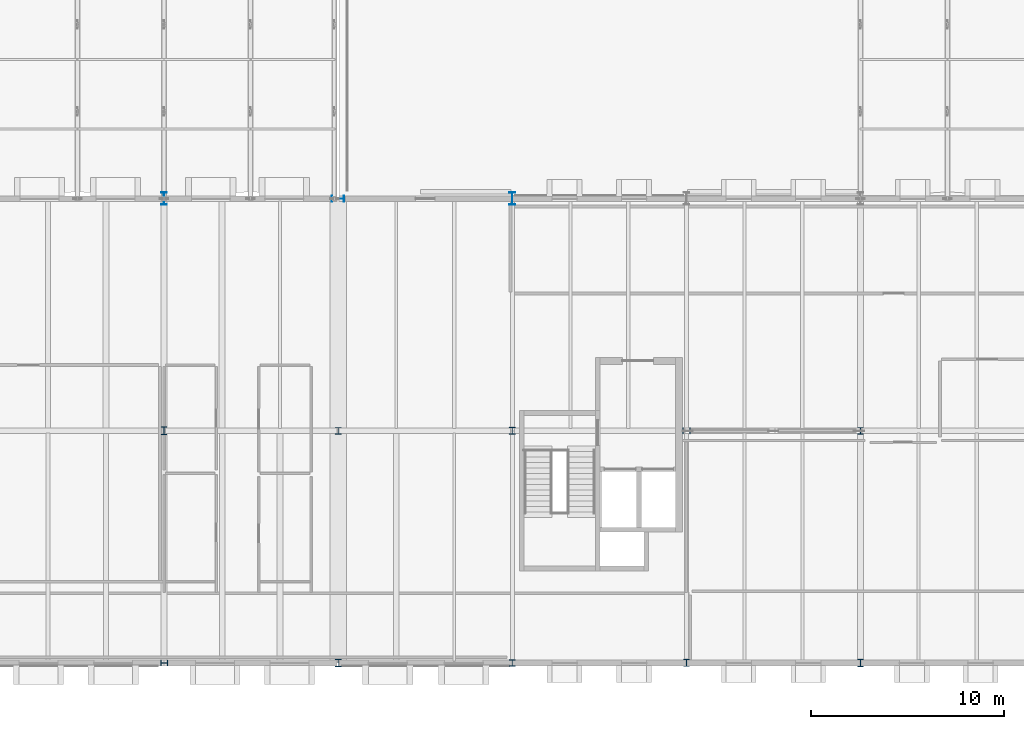
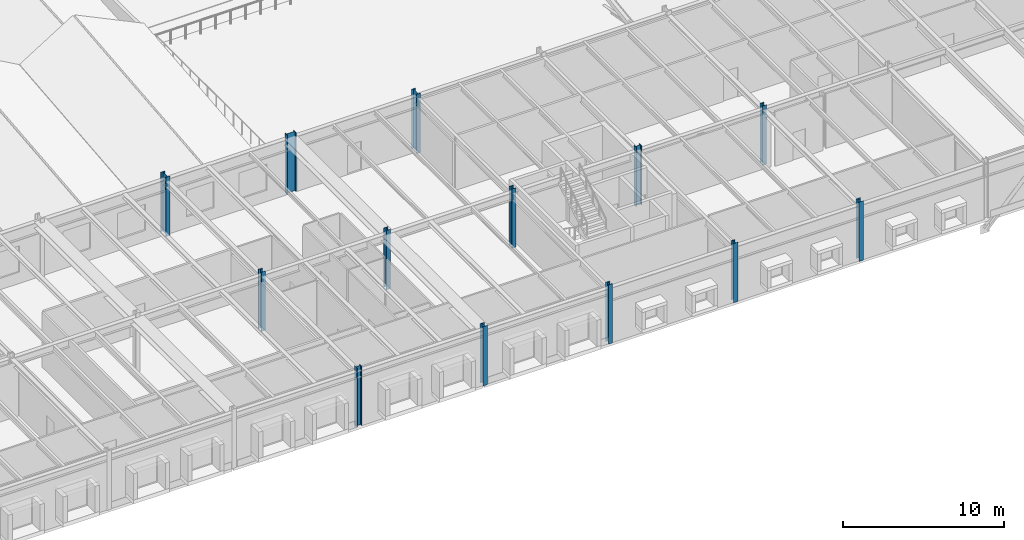
# One storey, part 4 of 142: 13 columns.
"""IFC4 building model written with IfcOpenShell, lengths in metres."""

import ifcopenshell
import ifcopenshell.guid

model = None  # the IFC model being written
_history = None  # IfcOwnerHistory: only IFC2X3 demands one
_inside = {}  # id of a spatial element -> (the spatial element, [elements in it])
_under = {}  # id of a project, library or spatial element -> (it, [spatial elements below it])
_declared = {}  # id of a project -> (the project, [libraries it declares])
_typed = {}  # id of a type object -> (the type object, [elements of that type])
_made_of = {}  # id of a material, layer set ... -> (it, [elements and type objects made of it])


def new_model(schema):
    """Start an empty IFC model of exactly this schema.

    Asked for "IFC4X3", IfcOpenShell would pick the latest addendum, in which some entities
    have other attributes; the version numbers below select the first issue.
    IFC2X3 requires an IfcOwnerHistory on every rooted entity: one is made here for all.
    """
    global model, _history
    if schema == "IFC4X3":
        model = ifcopenshell.file(schema_version=(4, 3, 0, 0))
    else:
        model = ifcopenshell.file(schema=schema)
    _inside.clear()
    _under.clear()
    _declared.clear()
    _typed.clear()
    _made_of.clear()
    _history = None
    if model.schema == "IFC2X3":
        org = make("IfcOrganization", Name="unknown")
        user = make(
            "IfcPersonAndOrganization",
            ThePerson=make("IfcPerson", FamilyName="unknown"),
            TheOrganization=org,
        )
        app = make(
            "IfcApplication",
            ApplicationDeveloper=org,
            Version="unknown",
            ApplicationFullName="unknown",
            ApplicationIdentifier="unknown",
        )
        _history = make(
            "IfcOwnerHistory",
            OwningUser=user,
            OwningApplication=app,
            ChangeAction="ADDED",
            CreationDate=0,
        )
    return model


def make(cls, **values):
    """One entity of the class cls with the attributes given. An attribute that is None is left unset."""
    return model.create_entity(
        cls, **{name: value for name, value in values.items() if value is not None}
    )


def rooted(cls, **values):
    """An entity with a GlobalId (a new one), such as an element, a storey or a relation."""
    return make(cls, GlobalId=ifcopenshell.guid.new(), OwnerHistory=_history, **values)


def si_unit(unit_type, name, prefix=None):
    """IfcSIUnit, for example si_unit("LENGTHUNIT", "METRE", prefix="MILLI")."""
    return make("IfcSIUnit", UnitType=unit_type, Prefix=prefix, Name=name)


def assignment(units):
    """IfcUnitAssignment: the units of a project."""
    return None if units is None else make("IfcUnitAssignment", Units=units)


def point(xyz):
    """IfcCartesianPoint."""
    return None if xyz is None else make("IfcCartesianPoint", Coordinates=xyz)


def direction(xyz):
    """IfcDirection."""
    return None if xyz is None else make("IfcDirection", DirectionRatios=xyz)


def frame(location, z_axis=None, x_axis=None):
    """IfcAxis2Placement3D, a coordinate frame: its origin and axes. An axis left out is left unset."""
    return make(
        "IfcAxis2Placement3D",
        Location=point(location),
        Axis=direction(z_axis),
        RefDirection=direction(x_axis),
    )


def frame_2d(location, x_axis=None):
    """IfcAxis2Placement2D, a coordinate frame in the plane: its origin and x axis."""
    return make(
        "IfcAxis2Placement2D", Location=point(location), RefDirection=direction(x_axis)
    )


def origin():
    """The frame at (0, 0, 0) with its axes left unset."""
    return frame((0.0, 0.0, 0.0))


def origin_2d():
    """The frame at (0, 0) in the plane with its x axis left unset."""
    return frame_2d((0.0, 0.0))


def place(relative_to, where):
    """IfcLocalPlacement: puts the frame where relative to a parent placement (None: the world)."""
    return make(
        "IfcLocalPlacement", PlacementRelTo=relative_to, RelativePlacement=where
    )


def context(
    kind, dimensions, precision=None, world=None, true_north=None, identifier=None
):
    """IfcGeometricRepresentationContext, for example the 3D "Model" context."""
    return make(
        "IfcGeometricRepresentationContext",
        ContextIdentifier=identifier,
        ContextType=kind,
        CoordinateSpaceDimension=dimensions,
        Precision=precision,
        WorldCoordinateSystem=world,
        TrueNorth=true_north,
    )


def subcontext(parent, identifier, kind, view, scale=None):
    """IfcGeometricRepresentationSubContext, for example "Body" below "Model"."""
    return make(
        "IfcGeometricRepresentationSubContext",
        ContextIdentifier=identifier,
        ContextType=kind,
        ParentContext=parent,
        TargetScale=scale,
        TargetView=view,
    )


def project(units=None, contexts=None):
    """IfcProject with its units and contexts."""
    return rooted(
        "IfcProject",
        Name="project",
        RepresentationContexts=contexts,
        UnitsInContext=assignment(units),
    )


def spatial(cls, under=None, at=None, **own):
    """A site, building, storey or space (cls), placed at a placement, below another one or the project."""
    s = rooted(cls, ObjectPlacement=at, **own)
    if under is not None:
        _under.setdefault(under.id(), (under, []))[1].append(s)
    return s


def profile(cls, at=None, kind="AREA", **sizes):
    """A parametric profile (cls). Its sizes go by their IFC names, for example OverallWidth=200.0."""
    return make(cls, ProfileType=kind, Position=at, **sizes)


def i_section(**sizes):
    """IfcIShapeProfileDef."""
    return profile("IfcIShapeProfileDef", **sizes)


def extrude(swept, where, along, depth):
    """IfcExtrudedAreaSolid: the profile swept, set in the frame where, extruded along a direction by depth."""
    return make(
        "IfcExtrudedAreaSolid",
        SweptArea=swept,
        Position=where,
        ExtrudedDirection=direction(along),
        Depth=depth,
    )


def shape(context_of_items, identifier, shape_type, items):
    """IfcShapeRepresentation: the items that make up one representation, for example the "Body"."""
    return make(
        "IfcShapeRepresentation",
        ContextOfItems=context_of_items,
        RepresentationIdentifier=identifier,
        RepresentationType=shape_type,
        Items=items,
    )


def material(Name=None, Category=None):
    """IfcMaterial."""
    return make("IfcMaterial", Name=Name, Category=Category)


def material_profile(
    of_material, cross_section, Name=None, Category=None, Priority=None
):
    """IfcMaterialProfile: a cross section and its material."""
    return make(
        "IfcMaterialProfile",
        Name=Name,
        Material=of_material,
        Profile=cross_section,
        Priority=Priority,
        Category=Category,
    )


def profile_set(profiles, Name=None, composite=None):
    """IfcMaterialProfileSet."""
    return make(
        "IfcMaterialProfileSet",
        Name=Name,
        MaterialProfiles=profiles,
        CompositeProfile=composite,
    )


def made_of(thing, what):
    """Note that an element or type object is made of a material, layer set ...; save() writes the relation."""
    if what is not None:
        _made_of.setdefault(what.id(), (what, []))[1].append(thing)
    return thing


def type_object(cls, material=None, **own):
    """A type object (cls), such as IfcWallType, which elements share."""
    return made_of(rooted(cls, **own), material)


def element(
    cls,
    number,
    at=None,
    inside=None,
    cuts=None,
    type_object=None,
    material=None,
    context=None,
    identifier="Body",
    shape_type=None,
    held_by="IfcProductDefinitionShape",
    body=None,
    shapes=None,
    **own,
):
    """One element of the class cls, such as IfcWall. Its Tag is "e" and its number.

    at: its placement. inside: the storey or other place that contains it. cuts: it is an
    opening in that element (IfcRelVoidsElement). A single representation is given by context,
    identifier, shape_type and body (its items); several are given by shapes. held_by: the class
    of the entity that holds the representations. save() writes the other relations.
    """
    e = rooted(cls, Tag="e%d" % number, ObjectPlacement=at, **own)
    if body is not None:
        shapes = [shape(context, identifier, shape_type, body)]
    if shapes is not None:
        e.Representation = make(held_by, Representations=shapes)
    if inside is not None:
        _inside.setdefault(inside.id(), (inside, []))[1].append(e)
    if cuts is not None:
        rooted(
            "IfcRelVoidsElement", RelatingBuildingElement=cuts, RelatedOpeningElement=e
        )
    if type_object is not None:
        _typed.setdefault(type_object.id(), (type_object, []))[1].append(e)
    return made_of(e, material)


def aggregate(whole, parts):
    """IfcRelAggregates: a whole, such as a stair, and the parts it consists of."""
    return rooted("IfcRelAggregates", RelatingObject=whole, RelatedObjects=parts)


def save(model, path):
    """Write the relations noted so far, then the file.

    IfcRelAggregates (storeys below a building ...), IfcRelContainedInSpatialStructure (elements
    in a storey), IfcRelDefinesByType, IfcRelAssociatesMaterial and IfcRelDeclares: one each for
    every whole, place, type object, material and project.
    """
    for whole, parts in _under.values():
        aggregate(whole, parts)
    for where, things in _inside.values():
        rooted(
            "IfcRelContainedInSpatialStructure",
            RelatedElements=things,
            RelatingStructure=where,
        )
    for kind, things in _typed.values():
        rooted("IfcRelDefinesByType", RelatedObjects=things, RelatingType=kind)
    for what, things in _made_of.values():
        rooted("IfcRelAssociatesMaterial", RelatedObjects=things, RelatingMaterial=what)
    for by, libraries in _declared.values():
        rooted("IfcRelDeclares", RelatingContext=by, RelatedDefinitions=libraries)
    model.write(path)


model = new_model("IFC4")

# Units and contexts
model_context = context("Model", 3, precision=1e-05, world=origin(), true_north=direction((0.0, 1.0)))
body_context = subcontext(model_context, "Body", "Model", "MODEL_VIEW")
ifc_project = project(units=[si_unit("LENGTHUNIT", "METRE"), si_unit("AREAUNIT", "SQUARE_METRE"), si_unit("VOLUMEUNIT", "CUBIC_METRE"), si_unit("PLANEANGLEUNIT", "RADIAN"), si_unit("MASSUNIT", "GRAM", prefix="KILO")], contexts=[model_context])

# Site, building, storey
site_placement = place(None, origin())
site = spatial("IfcSite", under=ifc_project, at=site_placement, CompositionType="ELEMENT")
building_placement = place(site_placement, origin())
building = spatial("IfcBuilding", under=site, at=building_placement, Name="Montelvaro Courts of Justice", CompositionType="ELEMENT")
storey_placement = place(building_placement, frame((0.0, 0.0, 14.39990234375)))
storey = spatial("IfcBuildingStorey", under=building, at=storey_placement, Name="L03", CompositionType="ELEMENT", Elevation=14.39990234375)

# Columns
ifc_material = material(Name="Steel S355", Category="steel")
ifc_material_profile_1 = material_profile(ifc_material, i_section(OverallWidth=0.300048828125, OverallDepth=0.340087890625, WebThickness=0.011962890625, FlangeThickness=0.021484375, at=origin_2d()), Name="HEB 340")
ifc_profile_set_1 = profile_set([ifc_material_profile_1], Name="Steel S355")
column_type_1 = type_object("IfcColumnType", Name="Col_HEB340", PredefinedType="COLUMN", material=ifc_profile_set_1)
for number, where, z_axis, x_axis, name in (
    (1, (99.0, 12.0, 0.0), (0.0, 0.0, 1.0), (1.0, 0.0, 0.0), "Column C-05 L03 12/B"),
    (2, (108.0, 0.0, 0.0), (0.0, 0.0, 1.0), (1.0, 0.0, 0.0), "Column C-05 L03 13/A"),
    (3, (126.0, 12.0, 0.0), (0.0, 0.0, 1.0), (1.0, 0.0, 0.0), "Column C-05 L03 15/B"),
):
    element("IfcColumn", number, at=place(storey_placement, frame(where, z_axis=z_axis, x_axis=x_axis)), inside=storey, type_object=column_type_1, Name=name, PredefinedType="COLUMN", context=body_context, shape_type="SweptSolid", body=[
        extrude(i_section(OverallWidth=0.300048828125, OverallDepth=0.340087890625, WebThickness=0.011962890625, FlangeThickness=0.021484375, at=origin_2d()), origin(), (0.0, 0.0, 1.0), 4.5),
    ])
ifc_material_profile_2 = material_profile(ifc_material, i_section(OverallWidth=0.300048828125, OverallDepth=0.360107421875, WebThickness=0.012451171875, FlangeThickness=0.0224609375, at=origin_2d()), Name="HEB 360")
ifc_profile_set_2 = profile_set([ifc_material_profile_2], Name="Steel S355")
column_type_2 = type_object("IfcColumnType", Name="Col_HEB360", PredefinedType="COLUMN", material=ifc_profile_set_2)
for number, where, z_axis, x_axis, name in (
    (4, (90.0, 0.0, 0.0), (0.0, 0.0, 1.0), (0.0, 1.0, 0.0), "Column C-06 L03 11/A"),
    (5, (108.0, 12.0, 0.0), (0.0, 0.0, 1.0), (1.0, 0.0, 0.0), "Column C-06 L03 13/B"),
    (6, (117.0, 0.0, 0.0), (0.0, 0.0, 1.0), (1.0, 0.0, 0.0), "Column C-06 L03 14/A"),
):
    element("IfcColumn", number, at=place(storey_placement, frame(where, z_axis=z_axis, x_axis=x_axis)), inside=storey, type_object=column_type_2, Name=name, PredefinedType="COLUMN", context=body_context, shape_type="SweptSolid", body=[
        extrude(i_section(OverallWidth=0.300048828125, OverallDepth=0.360107421875, WebThickness=0.012451171875, FlangeThickness=0.0224609375, at=origin_2d()), origin(), (0.0, 0.0, 1.0), 4.5),
    ])
ifc_material_profile_3 = material_profile(ifc_material, i_section(OverallWidth=0.300048828125, OverallDepth=0.39990234375, WebThickness=0.013427734375, FlangeThickness=0.02392578125, at=origin_2d()), Name="HEB 400")
ifc_profile_set_3 = profile_set([ifc_material_profile_3], Name="Steel S355")
column_type_3 = type_object("IfcColumnType", Name="Col_HEB400", PredefinedType="COLUMN", material=ifc_profile_set_3)
for number, where, z_axis, x_axis, name in (
    (7, (90.0, 12.0, 0.0), (0.0, 0.0, 1.0), (1.0, 0.0, 0.0), "Column C-07 L03 11/B"),
    (8, (99.0, 0.0, 0.0), (0.0, 0.0, 1.0), (1.0, 0.0, 0.0), "Column C-07 L03 12/A"),
    (9, (117.0, 12.0, 0.0), (0.0, 0.0, 1.0), (0.0, 1.0, 0.0), "Column C-07 L03 14/B"),
    (10, (126.0, 0.0, 0.0), (0.0, 0.0, 1.0), (1.0, 0.0, 0.0), "Column C-07 L03 15/A"),
):
    element("IfcColumn", number, at=place(storey_placement, frame(where, z_axis=z_axis, x_axis=x_axis)), inside=storey, type_object=column_type_3, Name=name, PredefinedType="COLUMN", context=body_context, shape_type="SweptSolid", body=[
        extrude(i_section(OverallWidth=0.300048828125, OverallDepth=0.39990234375, WebThickness=0.013427734375, FlangeThickness=0.02392578125, at=origin_2d()), origin(), (0.0, 0.0, 1.0), 4.5),
    ])
ifc_material_profile_4 = material_profile(ifc_material, i_section(OverallWidth=0.300048828125, OverallDepth=0.64990234375, WebThickness=0.01611328125, FlangeThickness=0.031005859375, at=origin_2d()), Name="HEB 650")
ifc_profile_set_4 = profile_set([ifc_material_profile_4], Name="Steel S355")
column_type_4 = type_object("IfcColumnType", Name="Col_HEB650", PredefinedType="COLUMN", material=ifc_profile_set_4)
for number, where, z_axis, x_axis, name in (
    (11, (90.0, 24.0, 0.0), (0.0, 0.0, 1.0), (1.0, 0.0, 0.0), "Column C-12 L03 11/C"),
    (12, (99.0, 24.0, 0.0), (0.0, 0.0, 1.0), (0.0, 1.0, 0.0), "Column C-12 L03 12/C"),
    (13, (108.0, 24.0, 0.0), (0.0, 0.0, 1.0), (1.0, 0.0, 0.0), "Column C-12 L03 13/C"),
):
    element("IfcColumn", number, at=place(storey_placement, frame(where, z_axis=z_axis, x_axis=x_axis)), inside=storey, type_object=column_type_4, Name=name, PredefinedType="COLUMN", context=body_context, shape_type="SweptSolid", body=[
        extrude(i_section(OverallWidth=0.300048828125, OverallDepth=0.64990234375, WebThickness=0.01611328125, FlangeThickness=0.031005859375, at=origin_2d()), origin(), (0.0, 0.0, 1.0), 4.5),
    ])

save(model, "model.ifc")
